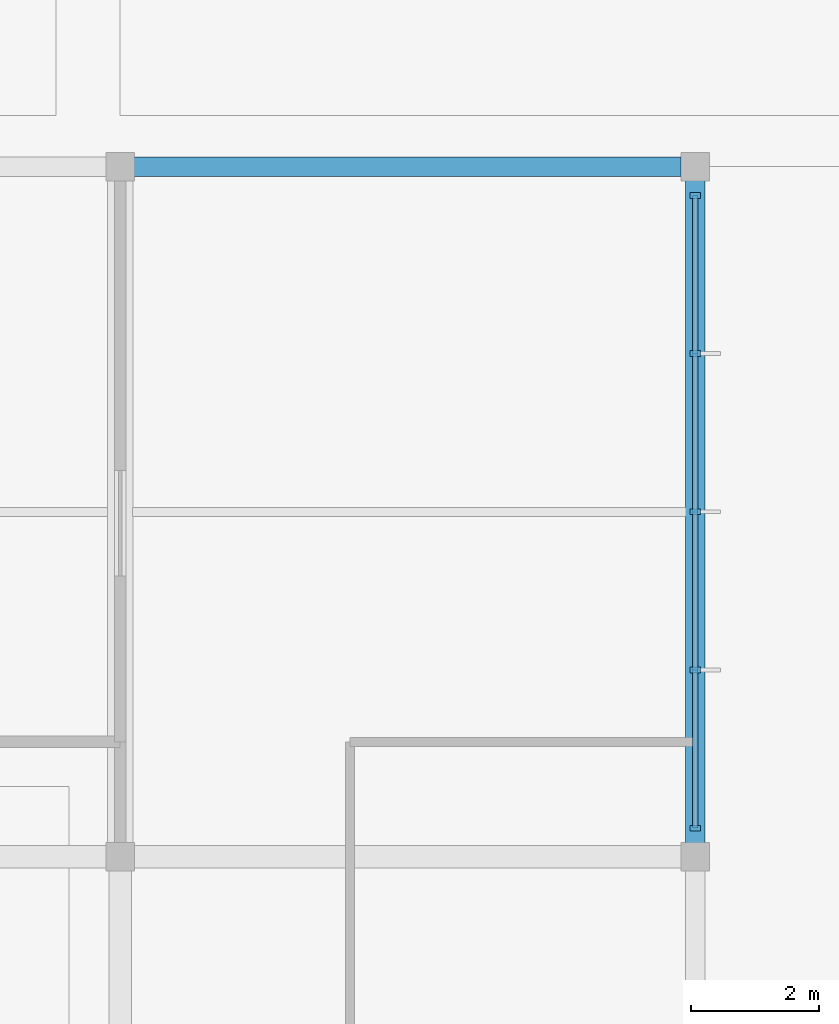
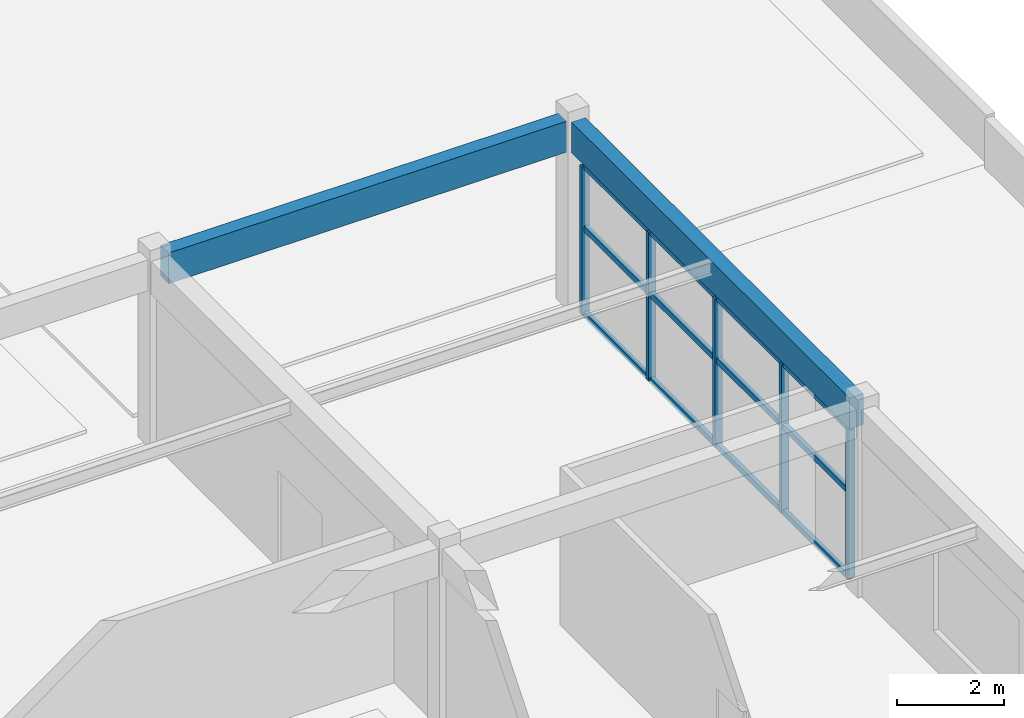
# One storey, part 7 of 22: 14 members, 2 beams, 1 element without a shape of its own.
"""IFC4 building model written with IfcOpenShell, lengths in metres."""

from ifc_helpers import new_model, si_unit, direction, frame, origin, origin_2d, place, context, subcontext, project, spatial, rectangle, extrude, material, material_profile, profile_set, type_object, element, aggregate, save


model = new_model("IFC4")

# Units and contexts
model_context = context("Model", 3, precision=1e-05, world=origin(), true_north=direction((0.0, 1.0)))
body_context = subcontext(model_context, "Body", "Model", "MODEL_VIEW")
ifc_project = project(units=[si_unit("LENGTHUNIT", "METRE"), si_unit("AREAUNIT", "SQUARE_METRE"), si_unit("VOLUMEUNIT", "CUBIC_METRE"), si_unit("PLANEANGLEUNIT", "RADIAN"), si_unit("MASSUNIT", "GRAM", prefix="KILO")], contexts=[model_context])

# Site, building, storey
site_placement = place(None, origin())
site = spatial("IfcSite", under=ifc_project, at=site_placement, CompositionType="ELEMENT")
building_placement = place(site_placement, origin())
building = spatial("IfcBuilding", under=site, at=building_placement, Name="Suirenkawa Promenade Aquatics Centre", CompositionType="ELEMENT")
storey_placement = place(building_placement, frame((0.0, 0.0, 14.10009765625)))
storey = spatial("IfcBuildingStorey", under=building, at=storey_placement, Name="L03", CompositionType="ELEMENT", Elevation=14.10009765625)

# Beams
ifc_material_1 = material(Name="Concrete M40", Category="concrete")
ifc_material_profile_1 = material_profile(ifc_material_1, rectangle(XDim=0.300048828125, YDim=0.699951171875, at=origin_2d()), Name="RC SPANDREL 300x700", Category="concrete")
ifc_profile_set_1 = profile_set([ifc_material_profile_1], Name="Concrete M40")
beam_type = type_object("IfcBeamType", Name="BT-SPANDREL-300x700", PredefinedType="SPANDREL", material=ifc_profile_set_1)
beam_1_placement = place(storey_placement, frame((18.218994140625, 97.199951171875, 3.89990234375), z_axis=(1.0, 0.0, 0.0), x_axis=(0.0, 1.0, 0.0)))
element("IfcBeam", 1, at=beam_1_placement, inside=storey, type_object=beam_type, Name="Floor beam SP-01 BM-0767", PredefinedType="SPANDREL", context=body_context, shape_type="SweptSolid", body=[
    extrude(rectangle(XDim=0.300048828125, YDim=0.699951171875, at=origin_2d()), origin(), (0.0, 0.0, 1.0), 8.56201171875),
])
beam_2_placement = place(storey_placement, frame((27.0, 86.618896484375, 3.89990234375), z_axis=(0.0, 1.0, 0.0), x_axis=(-1.0, 0.0, 0.0)))
element("IfcBeam", 2, at=beam_2_placement, inside=storey, type_object=beam_type, Name="Floor beam SP-01 BM-0807", PredefinedType="SPANDREL", context=body_context, shape_type="SweptSolid", body=[
    extrude(rectangle(XDim=0.300048828125, YDim=0.699951171875, at=origin_2d()), origin(), (0.0, 0.0, 1.0), 10.362060546875),
])

# Curtain wall, members
ifc_material_2 = material(Name="Anodised aluminium 6063-T6", Category="aluminium")
curtain_wall_type = type_object("IfcCurtainWallType", Name="CWAT-V5EL03-74", PredefinedType="NOTDEFINED", material=ifc_material_2)
curtain_wall_placement = place(storey_placement, origin())
curtain_wall = element("IfcCurtainWall", 3, at=curtain_wall_placement, inside=storey, type_object=curtain_wall_type, Name="Curtain wall CWA-74 CW-144", PredefinedType="NOTDEFINED")
ifc_material_profile_2 = material_profile(ifc_material_2, rectangle(XDim=0.090087890625, YDim=0.159912109375, at=origin_2d()), Name="ALU MULL 90x160", Category="aluminium")
ifc_profile_set_2 = profile_set([ifc_material_profile_2], Name="Anodised aluminium 6063-T6")
member_type_1 = type_object("IfcMemberType", Name="CWM-160x90", PredefinedType="MULLION", material=ifc_profile_set_2)
member_1_placement = place(storey_placement, frame((27.0, 96.7509765625, 0.0), z_axis=(0.0, 0.0, 1.0), x_axis=(0.0, -1.0, 0.0)))
member_1 = element("IfcMember", 4, at=member_1_placement, type_object=member_type_1, Name="Mullion ML-03 CWM-02927", PredefinedType="MULLION", context=body_context, shape_type="SweptSolid", body=[
    extrude(rectangle(XDim=0.090087890625, YDim=0.159912109375, at=origin_2d()), origin(), (0.0, 0.0, 1.0), 3.369873046875),
])
member_2_placement = place(storey_placement, frame((27.0, 94.275390625, 0.0), z_axis=(0.0, 0.0, 1.0), x_axis=(0.0, -1.0, 0.0)))
member_2 = element("IfcMember", 5, at=member_2_placement, type_object=member_type_1, Name="Mullion ML-03 CWM-02928", PredefinedType="MULLION", context=body_context, shape_type="SweptSolid", body=[
    extrude(rectangle(XDim=0.090087890625, YDim=0.159912109375, at=origin_2d()), origin(), (0.0, 0.0, 1.0), 3.369873046875),
])
member_3_placement = place(storey_placement, frame((27.0, 91.800048828125, 0.0), z_axis=(0.0, 0.0, 1.0), x_axis=(0.0, -1.0, 0.0)))
member_3 = element("IfcMember", 6, at=member_3_placement, type_object=member_type_1, Name="Mullion ML-03 CWM-02929", PredefinedType="MULLION", context=body_context, shape_type="SweptSolid", body=[
    extrude(rectangle(XDim=0.090087890625, YDim=0.159912109375, at=origin_2d()), origin(), (0.0, 0.0, 1.0), 3.369873046875),
])
member_4_placement = place(storey_placement, frame((27.0, 89.324462890625, 0.0), z_axis=(0.0, 0.0, 1.0), x_axis=(0.0, -1.0, 0.0)))
member_4 = element("IfcMember", 7, at=member_4_placement, type_object=member_type_1, Name="Mullion ML-03 CWM-02930", PredefinedType="MULLION", context=body_context, shape_type="SweptSolid", body=[
    extrude(rectangle(XDim=0.090087890625, YDim=0.159912109375, at=origin_2d()), origin(), (0.0, 0.0, 1.0), 3.369873046875),
])
member_5_placement = place(storey_placement, frame((27.0, 86.84912109375, 0.0), z_axis=(0.0, 0.0, 1.0), x_axis=(0.0, -1.0, 0.0)))
member_5 = element("IfcMember", 8, at=member_5_placement, type_object=member_type_1, Name="Mullion ML-03 CWM-02931", PredefinedType="MULLION", context=body_context, shape_type="SweptSolid", body=[
    extrude(rectangle(XDim=0.090087890625, YDim=0.159912109375, at=origin_2d()), origin(), (0.0, 0.0, 1.0), 3.369873046875),
])
ifc_material_profile_3 = material_profile(ifc_material_2, rectangle(XDim=0.090087890625, YDim=0.1298828125, at=origin_2d()), Name="ALU TRAN 90x130", Category="aluminium")
ifc_profile_set_3 = profile_set([ifc_material_profile_3], Name="Anodised aluminium 6063-T6")
member_type_2 = type_object("IfcMemberType", Name="CWT-130x90", PredefinedType="USERDEFINED", material=ifc_profile_set_3)
member_6_placement = place(storey_placement, frame((27.0, 96.7509765625, 0.0), z_axis=(0.0, -1.0, 0.0), x_axis=(1.0, 0.0, 0.0)))
member_6 = element("IfcMember", 9, at=member_6_placement, type_object=member_type_2, Name="Transom TR-03 CWT-02932", ObjectType="TRANSOM", PredefinedType="USERDEFINED", context=body_context, shape_type="SweptSolid", body=[
    extrude(rectangle(XDim=0.090087890625, YDim=0.1298828125, at=origin_2d()), origin(), (0.0, 0.0, 1.0), 2.4755859375),
])
member_7_placement = place(storey_placement, frame((27.0, 94.275390625, 0.0), z_axis=(0.0, -1.0, 0.0), x_axis=(1.0, 0.0, 0.0)))
member_7 = element("IfcMember", 10, at=member_7_placement, type_object=member_type_2, Name="Transom TR-03 CWT-02933", ObjectType="TRANSOM", PredefinedType="USERDEFINED", context=body_context, shape_type="SweptSolid", body=[
    extrude(rectangle(XDim=0.090087890625, YDim=0.1298828125, at=origin_2d()), origin(), (0.0, 0.0, 1.0), 2.475341796875),
])
member_8_placement = place(storey_placement, frame((27.0, 91.800048828125, 0.0), z_axis=(0.0, -1.0, 0.0), x_axis=(1.0, 0.0, 0.0)))
member_8 = element("IfcMember", 11, at=member_8_placement, type_object=member_type_2, Name="Transom TR-03 CWT-02934", ObjectType="TRANSOM", PredefinedType="USERDEFINED", context=body_context, shape_type="SweptSolid", body=[
    extrude(rectangle(XDim=0.090087890625, YDim=0.1298828125, at=origin_2d()), origin(), (0.0, 0.0, 1.0), 2.4755859375),
])
member_9_placement = place(storey_placement, frame((27.0, 89.324462890625, 0.0), z_axis=(0.0, -1.0, 0.0), x_axis=(1.0, 0.0, 0.0)))
member_9 = element("IfcMember", 12, at=member_9_placement, type_object=member_type_2, Name="Transom TR-03 CWT-02935", ObjectType="TRANSOM", PredefinedType="USERDEFINED", context=body_context, shape_type="SweptSolid", body=[
    extrude(rectangle(XDim=0.090087890625, YDim=0.1298828125, at=origin_2d()), origin(), (0.0, 0.0, 1.0), 2.475341796875),
])
member_10_placement = place(storey_placement, frame((27.0, 96.7509765625, 1.949951171875), z_axis=(0.0, -1.0, 0.0), x_axis=(1.0, 0.0, 0.0)))
member_10 = element("IfcMember", 13, at=member_10_placement, type_object=member_type_2, Name="Transom TR-03 CWT-02936", ObjectType="TRANSOM", PredefinedType="USERDEFINED", context=body_context, shape_type="SweptSolid", body=[
    extrude(rectangle(XDim=0.090087890625, YDim=0.1298828125, at=origin_2d()), origin(), (0.0, 0.0, 1.0), 2.4755859375),
])
member_11_placement = place(storey_placement, frame((27.0, 94.275390625, 1.949951171875), z_axis=(0.0, -1.0, 0.0), x_axis=(1.0, 0.0, 0.0)))
member_11 = element("IfcMember", 14, at=member_11_placement, type_object=member_type_2, Name="Transom TR-03 CWT-02937", ObjectType="TRANSOM", PredefinedType="USERDEFINED", context=body_context, shape_type="SweptSolid", body=[
    extrude(rectangle(XDim=0.090087890625, YDim=0.1298828125, at=origin_2d()), origin(), (0.0, 0.0, 1.0), 2.475341796875),
])
member_12_placement = place(storey_placement, frame((27.0, 91.800048828125, 1.949951171875), z_axis=(0.0, -1.0, 0.0), x_axis=(1.0, 0.0, 0.0)))
member_12 = element("IfcMember", 15, at=member_12_placement, type_object=member_type_2, Name="Transom TR-03 CWT-02938", ObjectType="TRANSOM", PredefinedType="USERDEFINED", context=body_context, shape_type="SweptSolid", body=[
    extrude(rectangle(XDim=0.090087890625, YDim=0.1298828125, at=origin_2d()), origin(), (0.0, 0.0, 1.0), 2.4755859375),
])
member_13_placement = place(storey_placement, frame((27.0, 89.324462890625, 1.949951171875), z_axis=(0.0, -1.0, 0.0), x_axis=(1.0, 0.0, 0.0)))
member_13 = element("IfcMember", 16, at=member_13_placement, type_object=member_type_2, Name="Transom TR-03 CWT-02939", ObjectType="TRANSOM", PredefinedType="USERDEFINED", context=body_context, shape_type="SweptSolid", body=[
    extrude(rectangle(XDim=0.090087890625, YDim=0.1298828125, at=origin_2d()), origin(), (0.0, 0.0, 1.0), 2.475341796875),
])
member_14_placement = place(storey_placement, frame((27.0, 96.7509765625, 3.369873046875), z_axis=(0.0, -1.0, 0.0), x_axis=(1.0, 0.0, 0.0)))
member_14 = element("IfcMember", 17, at=member_14_placement, type_object=member_type_2, Name="Roofline transom TR-03 CWT-02940", ObjectType="TRANSOM", PredefinedType="USERDEFINED", context=body_context, shape_type="SweptSolid", body=[
    extrude(rectangle(XDim=0.090087890625, YDim=0.1298828125, at=origin_2d()), origin(), (0.0, 0.0, 1.0), 9.90185546875),
])
aggregate(curtain_wall, [member_1, member_2, member_3, member_4, member_5, member_6, member_7, member_8, member_9, member_10, member_11, member_12, member_13, member_14])

save(model, "model.ifc")
